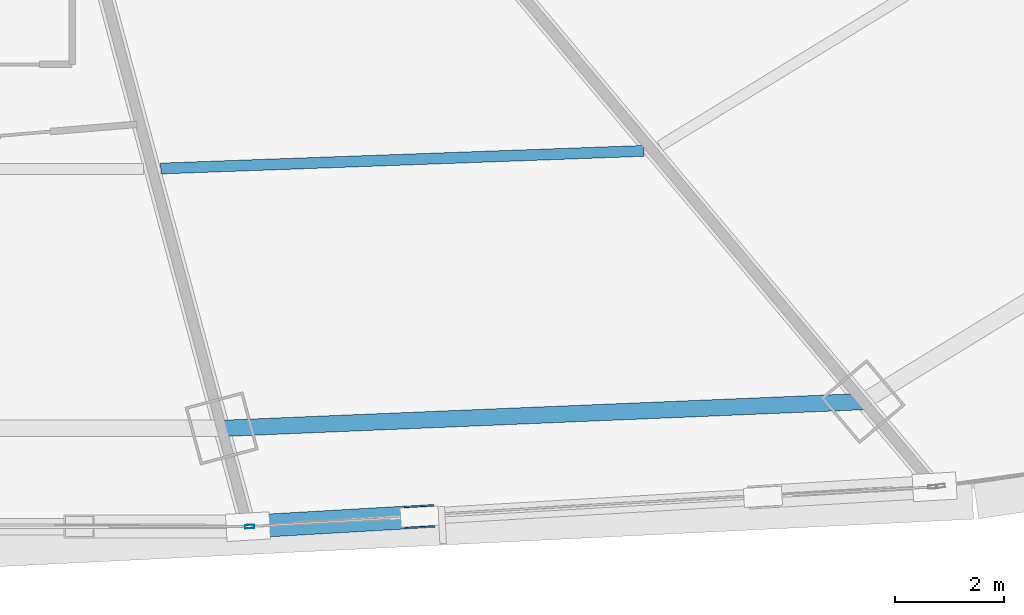
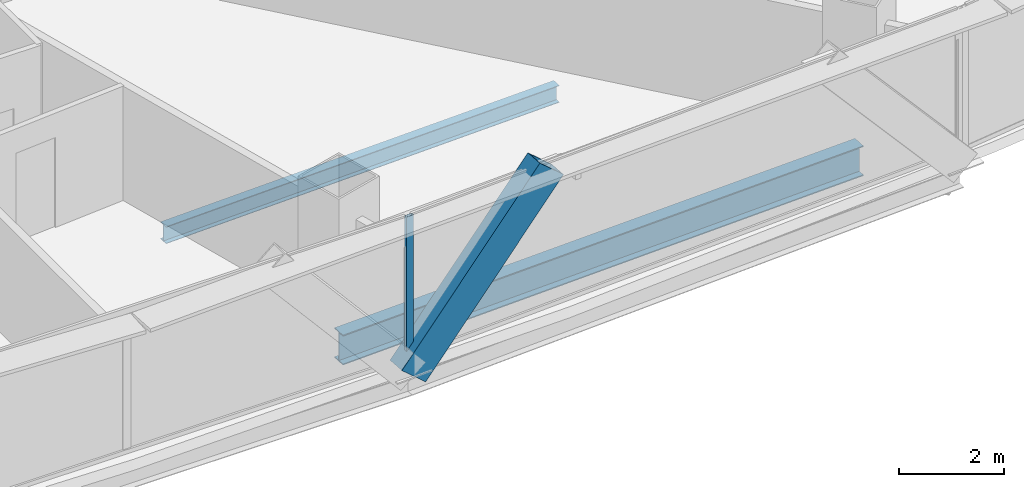
# One storey, part 10 of 38: 2 beams, 2 members, 1 element without a shape of its own.
"""IFC4 building model written with IfcOpenShell, lengths in metres."""

from ifc_helpers import new_model, si_unit, direction, frame, origin, origin_2d, place, context, subcontext, project, spatial, hollow_rectangle, i_section, extrude, source, transform, mapped, material, layer, layer_set, material_profile, profile_set, type_object, element, aggregate, save


model = new_model("IFC4")

# Units and contexts
model_context = context("Model", 3, precision=1e-05, world=origin(), true_north=direction((0.0, 1.0)))
body_context = subcontext(model_context, "Body", "Model", "MODEL_VIEW")
ifc_project = project(units=[si_unit("LENGTHUNIT", "METRE"), si_unit("AREAUNIT", "SQUARE_METRE"), si_unit("VOLUMEUNIT", "CUBIC_METRE"), si_unit("PLANEANGLEUNIT", "RADIAN"), si_unit("MASSUNIT", "GRAM", prefix="KILO"), si_unit("THERMODYNAMICTEMPERATUREUNIT", "KELVIN"), si_unit("POWERUNIT", "WATT")], contexts=[model_context])

# Site, building, storey
site_placement = place(None, origin())
site = spatial("IfcSite", under=ifc_project, at=site_placement, CompositionType="ELEMENT")
building_placement = place(site_placement, origin())
building = spatial("IfcBuilding", under=site, at=building_placement, Name="Yunzhuo Pagoda Commons", CompositionType="ELEMENT")
storey_placement = place(building_placement, frame((0.0, 0.0, 34.030029296875)))
storey = spatial("IfcBuildingStorey", under=building, at=storey_placement, Name="L08", CompositionType="ELEMENT", Elevation=34.030029296875)

# Beams
ifc_material_1 = material(Name="Structural steel Q355B", Category="steel")
ifc_material_profile_1 = material_profile(ifc_material_1, i_section(OverallWidth=0.300048828125, OverallDepth=0.699951171875, WebThickness=0.012939453125, FlangeThickness=0.02392578125, at=origin_2d()), Name="Structural steel Q355B")
ifc_profile_set_1 = profile_set([ifc_material_profile_1], Name="Structural steel Q355B")
beam_type_1 = type_object("IfcBeamType", Name="B-RG1 Beam HN 700x300x13x24", PredefinedType="BEAM", material=ifc_profile_set_1)
shared_shape_1 = source(origin(), body_context, "Body", "SweptSolid", [
    extrude(i_section(OverallWidth=0.300048828125, OverallDepth=0.699951171875, WebThickness=0.012939453125, FlangeThickness=0.02392578125, at=origin_2d()), origin(), (0.0, 0.0, 1.0), 11.7900390625),
])
beam_1_placement = place(storey_placement, frame((53.72021484375, 12.35205078125, -0.610107421875), z_axis=(0.99912739354, 0.041766631146, 0.0), x_axis=(-0.041766631146, 0.99912739354, 0.0)))
element("IfcBeam", 1, at=beam_1_placement, inside=storey, type_object=beam_type_1, Name="L08 column-ring beam 3", PredefinedType="BEAM", context=body_context, shape_type="MappedRepresentation", body=[
    mapped(shared_shape_1, transform((0.0, 0.0, 0.0), scale=1.0)),
])
ifc_material_profile_2 = material_profile(ifc_material_1, i_section(OverallWidth=0.199951171875, OverallDepth=0.39990234375, WebThickness=0.008056640625, FlangeThickness=0.012939453125, at=origin_2d()), Name="Structural steel Q355B")
ifc_profile_set_2 = profile_set([ifc_material_profile_2], Name="Structural steel Q355B")
beam_type_2 = type_object("IfcBeamType", Name="B-JS1 Joist HN 400x200x8x13", PredefinedType="JOIST", material=ifc_profile_set_2)
shared_shape_2 = source(origin(), body_context, "Body", "SweptSolid", [
    extrude(i_section(OverallWidth=0.199951171875, OverallDepth=0.39990234375, WebThickness=0.008056640625, FlangeThickness=0.012939453125, at=origin_2d()), origin(), (0.0, 0.0, 1.0), 8.876953125),
])
beam_2_placement = place(storey_placement, frame((52.601806640625, 17.125, -0.4599609375), z_axis=(0.999335806416, 0.036440993601, 0.0), x_axis=(-0.036440993601, 0.999335806416, 0.0)))
element("IfcBeam", 2, at=beam_2_placement, inside=storey, type_object=beam_type_2, Name="L08 composite ring joist 2.3", PredefinedType="JOIST", context=body_context, shape_type="MappedRepresentation", body=[
    mapped(shared_shape_2, transform((0.0, 0.0, 0.0), scale=1.0)),
])

# Member
ifc_material_2 = material(Name="Structural steel Q420B", Category="steel")
ifc_material_profile_3 = material_profile(ifc_material_2, hollow_rectangle(XDim=0.419921875, YDim=0.719970703125, WallThickness=0.028076171875, at=origin_2d()), Name="Structural steel Q420B")
ifc_profile_set_3 = profile_set([ifc_material_profile_3], Name="Structural steel Q420B")
member_type_1 = type_object("IfcMemberType", Name="M-DL1 Brace BOX 720x420x28", PredefinedType="BRACE", material=ifc_profile_set_3)
shared_shape_3 = source(origin(), body_context, "Body", "SweptSolid", [
    extrude(hollow_rectangle(XDim=0.419921875, YDim=0.719970703125, WallThickness=0.028076171875, at=origin_2d()), origin(), (0.0, 0.0, 1.0), 4.81103515625),
])
member_1_placement = place(storey_placement, frame((54.20361328125, 10.548095703125, -0.259765625), z_axis=(0.655247097181, 0.038009609339, 0.754457759742), x_axis=(-0.05791070349, 0.998321766978, 0.0)))
element("IfcMember", 3, at=member_1_placement, inside=storey, type_object=member_type_1, Name="L08 facade diamond brace F1.3L", PredefinedType="BRACE", context=body_context, shape_type="MappedRepresentation", body=[
    mapped(shared_shape_3, transform((0.0, 0.0, 0.0), scale=1.0)),
])

# Curtain wall, member
ifc_material_3 = material(Name="Anodized aluminium 6063-T6", Category="aluminium")
ifc_layer = layer(ifc_material_3, 0.1650390625)
ifc_layer_set = layer_set([ifc_layer], Name="Anodized aluminium 6063-T6")
curtain_wall_type = type_object("IfcCurtainWallType", Name="CW-LOW Low-Zone Ribbon Curtain Wall", PredefinedType="NOTDEFINED", material=ifc_layer_set)
curtain_wall_placement = place(storey_placement, origin())
curtain_wall = element("IfcCurtainWall", 4, at=curtain_wall_placement, inside=storey, type_object=curtain_wall_type, Name="L08 curtain wall CW-L08-F1B4", PredefinedType="NOTDEFINED")
ifc_material_profile_4 = material_profile(ifc_material_3, hollow_rectangle(XDim=0.06494140625, YDim=0.1650390625, WallThickness=0.00390625, at=origin_2d()), Name="Anodized aluminium 6063-T6")
ifc_profile_set_4 = profile_set([ifc_material_profile_4], Name="Anodized aluminium 6063-T6")
member_type_2 = type_object("IfcMemberType", Name="CW-LOW-M Mullion RHS 165x65x4", PredefinedType="MULLION", material=ifc_profile_set_4)
shared_shape_4 = source(origin(), body_context, "Body", "SweptSolid", [
    extrude(hollow_rectangle(XDim=0.06494140625, YDim=0.1650390625, WallThickness=0.00390625, at=origin_2d()), origin(), (0.0, 0.0, 1.0), 3.369873046875),
])
member_2_placement = place(storey_placement, frame((54.23583984375, 10.550048828125, 0.0), z_axis=(0.0, 0.0, 1.0), x_axis=(-0.05789866519, 0.998322465223, 0.0)))
member_2 = element("IfcMember", 5, at=member_2_placement, type_object=member_type_2, Name="CW mullion 1", PredefinedType="MULLION", context=body_context, shape_type="MappedRepresentation", body=[
    mapped(shared_shape_4, transform((0.0, 0.0, 0.0), scale=1.0)),
])
aggregate(curtain_wall, [member_2])

save(model, "model.ifc")
